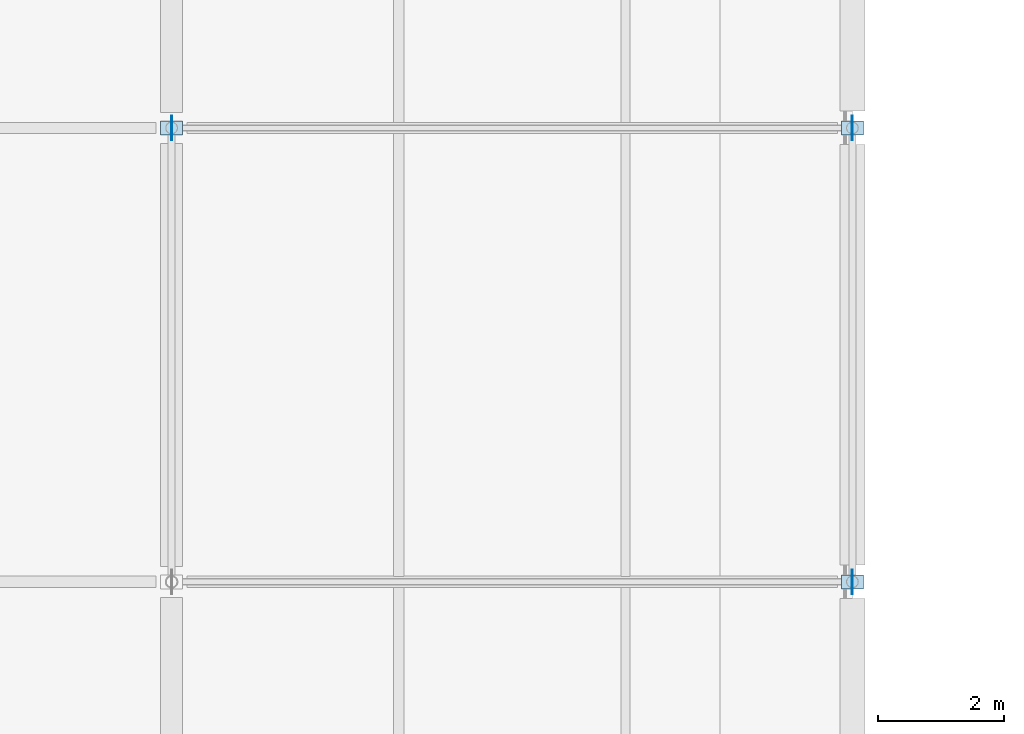
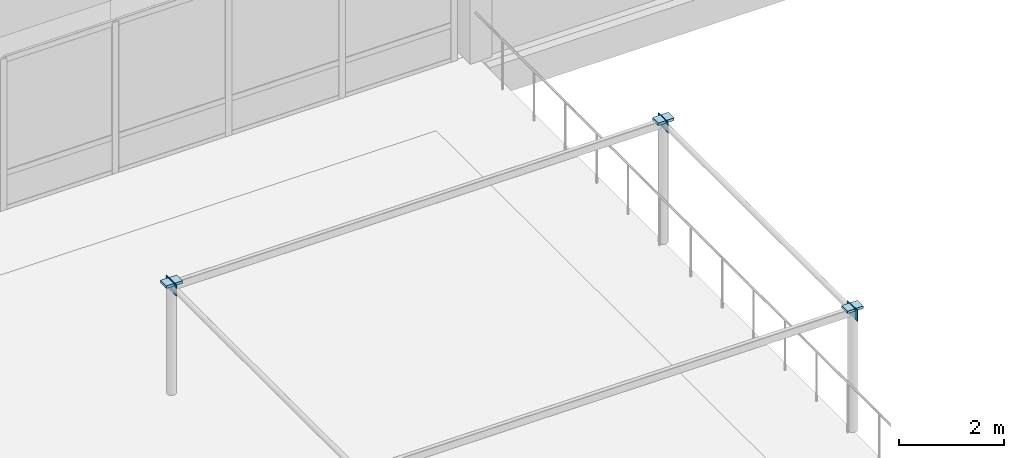
# One storey, part 22 of 33: 6 plates.
"""IFC4 building model written with IfcOpenShell, lengths in metres."""

from ifc_helpers import new_model, si_unit, direction, frame, origin, origin_2d, place, context, subcontext, project, spatial, rectangle, extrude, material, layer, layer_set, type_object, element, save


model = new_model("IFC4")

# Units and contexts
model_context = context("Model", 3, precision=1e-05, world=origin(), true_north=direction((0.0, 1.0)))
body_context = subcontext(model_context, "Body", "Model", "MODEL_VIEW")
ifc_project = project(units=[si_unit("LENGTHUNIT", "METRE"), si_unit("AREAUNIT", "SQUARE_METRE"), si_unit("VOLUMEUNIT", "CUBIC_METRE"), si_unit("PLANEANGLEUNIT", "RADIAN"), si_unit("MASSUNIT", "GRAM", prefix="KILO")], contexts=[model_context])

# Site, building, storey
site_placement = place(None, origin())
site = spatial("IfcSite", under=ifc_project, at=site_placement, CompositionType="ELEMENT")
building_placement = place(site_placement, origin())
building = spatial("IfcBuilding", under=site, at=building_placement, Name="Lusvemor Sports Hall", CompositionType="ELEMENT")
storey_placement = place(building_placement, frame((0.0, 0.0, 19.199951171875)))
storey = spatial("IfcBuildingStorey", under=building, at=storey_placement, Name="L04", CompositionType="ELEMENT", Elevation=19.199951171875)

# Plates
ifc_material_1 = material(Name="Steel S355", Category="steel")
ifc_layer_1 = layer(ifc_material_1, 0.013916015625)
ifc_layer_set_1 = layer_set([ifc_layer_1], Name="Steel S355")
plate_type_1 = type_object("IfcPlateType", Name="GUSSET_CANOPY_D", PredefinedType="USERDEFINED", material=ifc_layer_set_1)
for number, where, z_axis, x_axis, name in (
    (1, (21.60009765625, 82.800048828125, 2.635009765625), (0.0, 0.0, 1.0), (1.0, 0.0, 0.0), "Pergola Rafter End Cap PERG-L04-WN-1B"),
    (2, (10.800048828125, 90.0, 2.635009765625), (0.0, 0.0, 1.0), (1.0, 0.0, 0.0), "Pergola Rafter End Cap PERG-L04-WN-2A"),
    (3, (21.60009765625, 90.0, 2.635009765625), (0.0, 0.0, 1.0), (1.0, 0.0, 0.0), "Pergola Rafter End Cap PERG-L04-WN-2B"),
):
    element("IfcPlate", number, at=place(storey_placement, frame(where, z_axis=z_axis, x_axis=x_axis)), inside=storey, type_object=plate_type_1, Name=name, ObjectType="GUSSET_PLATE", PredefinedType="USERDEFINED", context=body_context, shape_type="SweptSolid", body=[
        extrude(rectangle(XDim=0.013916015625, YDim=0.389892578125, at=origin_2d()), origin(), (0.0, 0.0, 1.0), 0.25),
    ])
ifc_material_2 = material(Name="Steel S355", Category="steel")
ifc_layer_2 = layer(ifc_material_2, 0.06005859375)
ifc_layer_set_2 = layer_set([ifc_layer_2], Name="Steel S355")
plate_type_2 = type_object("IfcPlateType", Name="GUSSET_TIE_F", PredefinedType="USERDEFINED", material=ifc_layer_set_2)
for number, where, z_axis, x_axis, name in (
    (4, (21.60009765625, 82.800048828125, 2.820068359375), (0.0, 0.0, 1.0), (1.0, 0.0, 0.0), "Pergola Post Cap PERG-L04-WN-1B"),
    (5, (10.800048828125, 90.0, 2.820068359375), (0.0, 0.0, 1.0), (1.0, 0.0, 0.0), "Pergola Post Cap PERG-L04-WN-2A"),
    (6, (21.60009765625, 90.0, 2.820068359375), (0.0, 0.0, 1.0), (1.0, 0.0, 0.0), "Pergola Post Cap PERG-L04-WN-2B"),
):
    element("IfcPlate", number, at=place(storey_placement, frame(where, z_axis=z_axis, x_axis=x_axis)), inside=storey, type_object=plate_type_2, Name=name, ObjectType="GUSSET_PLATE", PredefinedType="USERDEFINED", context=body_context, shape_type="SweptSolid", body=[
        extrude(rectangle(XDim=0.35009765625, YDim=0.219970703125, at=origin_2d()), origin(), (0.0, 0.0, 1.0), 0.06005859375),
    ])

save(model, "model.ifc")
